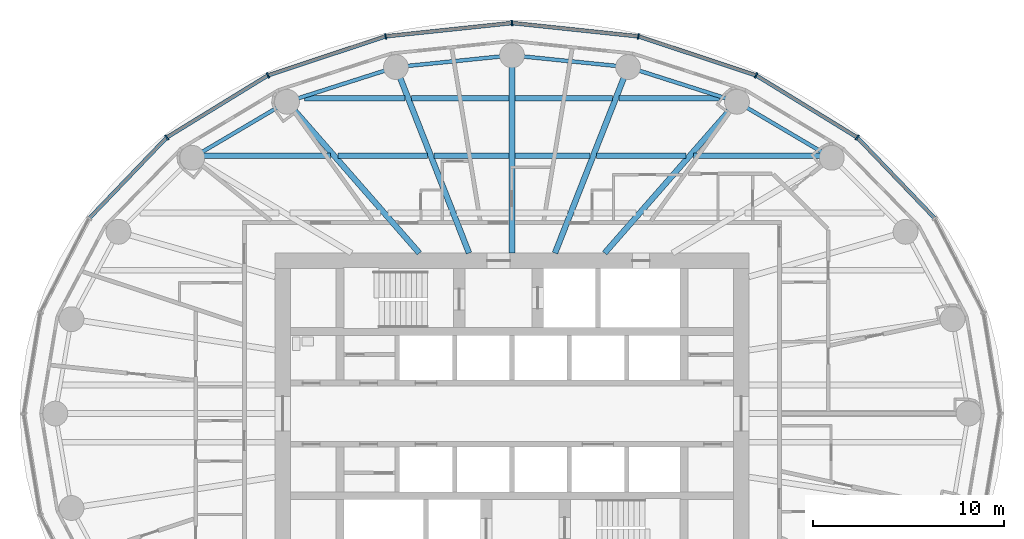
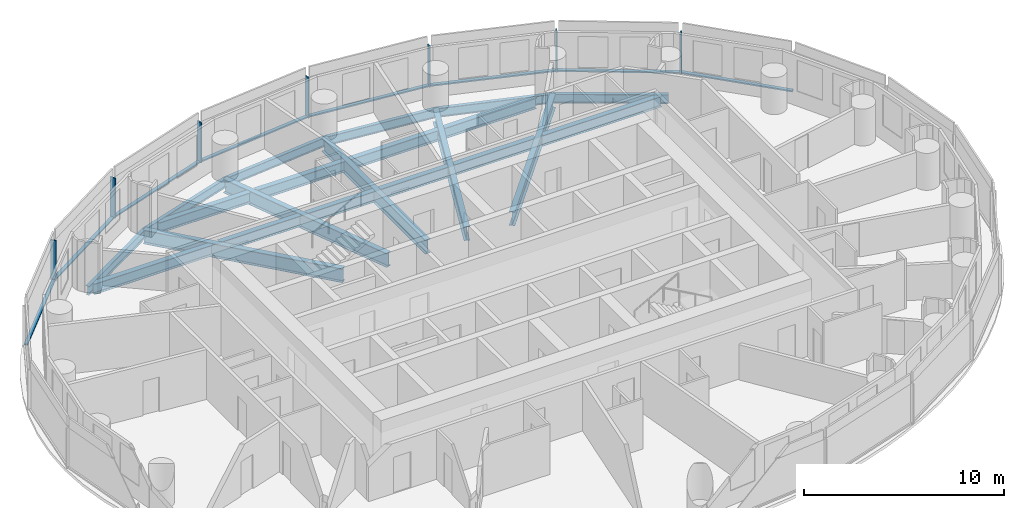
# One storey, part 4 of 14: 21 beams, 15 members, 2 elements without a shape of their own.
"""IFC4 building model written with IfcOpenShell, lengths in metres."""

from ifc_helpers import new_model, si_unit, direction, frame, origin, origin_2d, place, context, subcontext, project, spatial, rectangle, i_section, extrude, material, material_profile, profile_set, type_object, element, aggregate, save


model = new_model("IFC4")

# Units and contexts
model_context = context("Model", 3, precision=1e-05, world=origin(), true_north=direction((0.0, 1.0)))
body_context = subcontext(model_context, "Body", "Model", "MODEL_VIEW")
ifc_project = project(units=[si_unit("LENGTHUNIT", "METRE"), si_unit("AREAUNIT", "SQUARE_METRE"), si_unit("VOLUMEUNIT", "CUBIC_METRE"), si_unit("PLANEANGLEUNIT", "RADIAN"), si_unit("MASSUNIT", "GRAM", prefix="KILO")], contexts=[model_context])

# Site, building, storey
site_placement = place(None, origin())
site = spatial("IfcSite", under=ifc_project, at=site_placement, CompositionType="ELEMENT")
building_placement = place(site_placement, origin())
building = spatial("IfcBuilding", under=site, at=building_placement, Name="Hankou Lantern Tower", CompositionType="ELEMENT")
storey_placement = place(building_placement, frame((0.0, 0.0, 135.300048828125)))
storey = spatial("IfcBuildingStorey", under=building, at=storey_placement, Name="L35", CompositionType="ELEMENT", Elevation=135.300048828125)

# Beams
ifc_material_1 = material(Name="Steel Q355B", Category="steel")
ifc_material_profile_1 = material_profile(ifc_material_1, i_section(OverallWidth=0.199951171875, OverallDepth=0.550048828125, WebThickness=0.010009765625, FlangeThickness=0.01611328125, FilletRadius=0.012939453125, at=origin_2d()), Name="HN550x200x10x16")
ifc_profile_set_1 = profile_set([ifc_material_profile_1], Name="Steel Q355B")
beam_type_1 = type_object("IfcBeamType", Name="EB6 RING BEAM HN550x200x10x16", PredefinedType="SPANDREL", material=ifc_profile_set_1)
beam_1_placement = place(storey_placement, frame((16.73388671875, 13.38720703125, -0.455078125), z_axis=(-0.860988974188, 0.508623619513, 0.0), x_axis=(-0.508623619513, -0.860988974188, 0.0)))
element("IfcBeam", 1, at=beam_1_placement, inside=storey, type_object=beam_type_1, Name="Ring beam R04-R05 L35", PredefinedType="SPANDREL", context=body_context, shape_type="SweptSolid", body=[
    extrude(i_section(OverallWidth=0.199951171875, OverallDepth=0.550048828125, WebThickness=0.010009765625, FlangeThickness=0.01611328125, FilletRadius=0.012939453125, at=origin_2d()), origin(), (0.0, 0.0, 1.0), 5.759033203125),
])
beam_2_placement = place(storey_placement, frame((11.775390625, 16.31640625, -0.455078125), z_axis=(-0.952731090451, 0.303814860215, 0.0), x_axis=(-0.303814860215, -0.952731090451, 0.0)))
element("IfcBeam", 2, at=beam_2_placement, inside=storey, type_object=beam_type_1, Name="Ring beam R05-R06 L35", PredefinedType="SPANDREL", context=body_context, shape_type="SweptSolid", body=[
    extrude(i_section(OverallWidth=0.199951171875, OverallDepth=0.550048828125, WebThickness=0.010009765625, FlangeThickness=0.01611328125, FilletRadius=0.012939453125, at=origin_2d()), origin(), (0.0, 0.0, 1.0), 5.984375),
])
for number, where, z_axis, x_axis, name in (
    (3, (6.073974609375, 18.134521484375, -0.455078125), (-0.994905271594, 0.100814188259, 0.0), (-0.100814188259, -0.994905271594, 0.0), "Ring beam R06-R07 L35"),
    (4, (0.0, 18.75, -0.455078125), (-0.994905271594, -0.100814188259, 0.0), (0.100814188259, -0.994905271594, 0.0), "Ring beam R07-R08 L35"),
):
    element("IfcBeam", number, at=place(storey_placement, frame(where, z_axis=z_axis, x_axis=x_axis)), inside=storey, type_object=beam_type_1, Name=name, PredefinedType="SPANDREL", context=body_context, shape_type="SweptSolid", body=[
        extrude(i_section(OverallWidth=0.199951171875, OverallDepth=0.550048828125, WebThickness=0.010009765625, FlangeThickness=0.01611328125, FilletRadius=0.012939453125, at=origin_2d()), origin(), (0.0, 0.0, 1.0), 6.10498046875),
    ])
beam_3_placement = place(storey_placement, frame((-6.073974609375, 18.134521484375, -0.455078125), z_axis=(-0.952731090451, -0.303814860215, 0.0), x_axis=(0.303814860215, -0.952731090451, 0.0)))
element("IfcBeam", 5, at=beam_3_placement, inside=storey, type_object=beam_type_1, Name="Ring beam R08-R09 L35", PredefinedType="SPANDREL", context=body_context, shape_type="SweptSolid", body=[
    extrude(i_section(OverallWidth=0.199951171875, OverallDepth=0.550048828125, WebThickness=0.010009765625, FlangeThickness=0.01611328125, FilletRadius=0.012939453125, at=origin_2d()), origin(), (0.0, 0.0, 1.0), 5.984375),
])
beam_4_placement = place(storey_placement, frame((-11.775390625, 16.31640625, -0.455078125), z_axis=(-0.860988974188, -0.508623619513, 0.0), x_axis=(0.508623619513, -0.860988974188, 0.0)))
element("IfcBeam", 6, at=beam_4_placement, inside=storey, type_object=beam_type_1, Name="Ring beam R09-R10 L35", PredefinedType="SPANDREL", context=body_context, shape_type="SweptSolid", body=[
    extrude(i_section(OverallWidth=0.199951171875, OverallDepth=0.550048828125, WebThickness=0.010009765625, FlangeThickness=0.01611328125, FilletRadius=0.012939453125, at=origin_2d()), origin(), (0.0, 0.0, 1.0), 5.759033203125),
])

# Curtain wall, members
ifc_material_2 = material(Name="Glass, dark grey tinted laminated", Category="glass")
curtain_wall_type = type_object("IfcCurtainWallType", Name="CWB OUTER SKIN MID-RISE", PredefinedType="USERDEFINED", material=ifc_material_2)
curtain_wall_1_placement = place(storey_placement, origin())
curtain_wall_1 = element("IfcCurtainWall", 7, at=curtain_wall_1_placement, inside=storey, type_object=curtain_wall_type, Name="CWB L35 OS1", ObjectType="OUTER SKIN MID-RISE", PredefinedType="USERDEFINED")
ifc_material_3 = material(Name="Aluminium, black anodised", Category="aluminium")
ifc_material_profile_2 = material_profile(ifc_material_3, rectangle(XDim=0.080078125, YDim=0.300048828125, at=origin_2d()), Name="MU1 80X300")
ifc_profile_set_2 = profile_set([ifc_material_profile_2], Name="Aluminium, black anodised")
member_type_1 = type_object("IfcMemberType", Name="MU1 OUTER SKIN MULLION 80X300", PredefinedType="MULLION", material=ifc_profile_set_2)
member_1_placement = place(storey_placement, frame((18.066650390625, 14.453369140625, 0.0), z_axis=(0.0, 0.0, 1.0), x_axis=(-0.780868809444, 0.624695047553, 0.0)))
member_1 = element("IfcMember", 8, at=member_1_placement, type_object=member_type_1, Name="CWB mullion 4", PredefinedType="MULLION", context=body_context, shape_type="SweptSolid", body=[
    extrude(rectangle(XDim=0.080078125, YDim=0.300048828125, at=origin_2d()), origin(), (0.0, 0.0, 1.0), 2.449951171875),
])
member_2_placement = place(storey_placement, frame((12.77490234375, 17.70166015625, 0.0), z_axis=(0.0, 0.0, 1.0), x_axis=(-0.907841299004, 0.419313934686, 0.0)))
member_2 = element("IfcMember", 9, at=member_2_placement, type_object=member_type_1, Name="CWB mullion 5", PredefinedType="MULLION", context=body_context, shape_type="SweptSolid", body=[
    extrude(rectangle(XDim=0.080078125, YDim=0.300048828125, at=origin_2d()), origin(), (0.0, 0.0, 1.0), 2.449951171875),
])
member_3_placement = place(storey_placement, frame((6.61279296875, 19.743408203125, 0.0), z_axis=(0.0, 0.0, 1.0), x_axis=(-0.977787659625, 0.209597931016, 0.0)))
member_3 = element("IfcMember", 10, at=member_3_placement, type_object=member_type_1, Name="CWB mullion 6", PredefinedType="MULLION", context=body_context, shape_type="SweptSolid", body=[
    extrude(rectangle(XDim=0.080078125, YDim=0.300048828125, at=origin_2d()), origin(), (0.0, 0.0, 1.0), 2.449951171875),
])

curtain_wall_2_placement = place(storey_placement, origin())
curtain_wall_2 = element("IfcCurtainWall", 11, at=curtain_wall_2_placement, inside=storey, type_object=curtain_wall_type, Name="CWB L35 OS2", ObjectType="OUTER SKIN MID-RISE", PredefinedType="USERDEFINED")
member_4_placement = place(storey_placement, frame((0.0, 20.43994140625, 0.0), z_axis=(0.0, 0.0, 1.0), x_axis=(-0.994499359107, -0.104742659579, 0.0)))
member_4 = element("IfcMember", 12, at=member_4_placement, type_object=member_type_1, Name="CWB mullion 1", PredefinedType="MULLION", context=body_context, shape_type="SweptSolid", body=[
    extrude(rectangle(XDim=0.080078125, YDim=0.300048828125, at=origin_2d()), origin(), (0.0, 0.0, 1.0), 2.449951171875),
])
member_5_placement = place(storey_placement, frame((-6.61279296875, 19.743408203125, 0.0), z_axis=(0.0, 0.0, 1.0), x_axis=(-0.977787659625, -0.209597931016, 0.0)))
member_5 = element("IfcMember", 13, at=member_5_placement, type_object=member_type_1, Name="CWB mullion 2", PredefinedType="MULLION", context=body_context, shape_type="SweptSolid", body=[
    extrude(rectangle(XDim=0.080078125, YDim=0.300048828125, at=origin_2d()), origin(), (0.0, 0.0, 1.0), 2.449951171875),
])
member_6_placement = place(storey_placement, frame((-12.77490234375, 17.70166015625, 0.0), z_axis=(0.0, 0.0, 1.0), x_axis=(-0.907841299004, -0.419313934686, 0.0)))
member_6 = element("IfcMember", 14, at=member_6_placement, type_object=member_type_1, Name="CWB mullion 3", PredefinedType="MULLION", context=body_context, shape_type="SweptSolid", body=[
    extrude(rectangle(XDim=0.080078125, YDim=0.300048828125, at=origin_2d()), origin(), (0.0, 0.0, 1.0), 2.449951171875),
])
member_7_placement = place(storey_placement, frame((-18.066650390625, 14.453369140625, 0.0), z_axis=(0.0, 0.0, 1.0), x_axis=(-0.780868809444, -0.624695047553, 0.0)))
member_7 = element("IfcMember", 15, at=member_7_placement, type_object=member_type_1, Name="CWB mullion 4", PredefinedType="MULLION", context=body_context, shape_type="SweptSolid", body=[
    extrude(rectangle(XDim=0.080078125, YDim=0.300048828125, at=origin_2d()), origin(), (0.0, 0.0, 1.0), 2.449951171875),
])

# Beams
ifc_material_4 = material(Name="Steel Q355B", Category="steel")
ifc_material_profile_3 = material_profile(ifc_material_4, i_section(OverallWidth=0.300048828125, OverallDepth=0.85009765625, WebThickness=0.01611328125, FlangeThickness=0.027099609375, FilletRadius=0.01806640625, at=origin_2d()), Name="HN850x300x16x27")
ifc_profile_set_3 = profile_set([ifc_material_profile_3], Name="Steel Q355B")
beam_type_2 = type_object("IfcBeamType", Name="RB12 RADIAL BEAM HN850x300x16x27", PredefinedType="BEAM", material=ifc_profile_set_3)
beam_5_placement = place(storey_placement, frame((4.849853515625, 8.39990234375, -0.60498046875), z_axis=(0.658429014446, 0.752642832249, 0.0), x_axis=(-0.752642832249, 0.658429014446, 0.0)))
element("IfcBeam", 16, at=beam_5_placement, inside=storey, type_object=beam_type_2, Name="Radial beam R05 L35", PredefinedType="BEAM", context=body_context, shape_type="SweptSolid", body=[
    extrude(i_section(OverallWidth=0.300048828125, OverallDepth=0.85009765625, WebThickness=0.01611328125, FlangeThickness=0.027099609375, FilletRadius=0.01806640625, at=origin_2d()), origin(), (0.0, 0.0, 1.0), 10.518310546875),
])
beam_6_placement = place(storey_placement, frame((2.250732421875, 8.39990234375, -0.60498046875), z_axis=(0.365563535437, 0.930786388791, 0.0), x_axis=(-0.930786388791, 0.365563535437, 0.0)))
element("IfcBeam", 17, at=beam_6_placement, inside=storey, type_object=beam_type_2, Name="Radial beam R06 L35", PredefinedType="BEAM", context=body_context, shape_type="SweptSolid", body=[
    extrude(i_section(OverallWidth=0.300048828125, OverallDepth=0.85009765625, WebThickness=0.01611328125, FlangeThickness=0.027099609375, FilletRadius=0.01806640625, at=origin_2d()), origin(), (0.0, 0.0, 1.0), 10.45849609375),
])
beam_7_placement = place(storey_placement, frame((0.0, 8.39990234375, -0.60498046875), z_axis=(0.0, 1.0, 0.0), x_axis=(-1.0, 0.0, 0.0)))
element("IfcBeam", 18, at=beam_7_placement, inside=storey, type_object=beam_type_2, Name="Radial beam R07 L35", PredefinedType="BEAM", context=body_context, shape_type="SweptSolid", body=[
    extrude(i_section(OverallWidth=0.300048828125, OverallDepth=0.85009765625, WebThickness=0.01611328125, FlangeThickness=0.027099609375, FilletRadius=0.01806640625, at=origin_2d()), origin(), (0.0, 0.0, 1.0), 10.35009765625),
])
beam_8_placement = place(storey_placement, frame((-2.250732421875, 8.39990234375, -0.60498046875), z_axis=(-0.365563535437, 0.930786388791, 0.0), x_axis=(-0.930786388791, -0.365563535437, 0.0)))
element("IfcBeam", 19, at=beam_8_placement, inside=storey, type_object=beam_type_2, Name="Radial beam R08 L35", PredefinedType="BEAM", context=body_context, shape_type="SweptSolid", body=[
    extrude(i_section(OverallWidth=0.300048828125, OverallDepth=0.85009765625, WebThickness=0.01611328125, FlangeThickness=0.027099609375, FilletRadius=0.01806640625, at=origin_2d()), origin(), (0.0, 0.0, 1.0), 10.45849609375),
])
beam_9_placement = place(storey_placement, frame((-4.849853515625, 8.39990234375, -0.60498046875), z_axis=(-0.658429014446, 0.752642832249, 0.0), x_axis=(-0.752642832249, -0.658429014446, 0.0)))
element("IfcBeam", 20, at=beam_9_placement, inside=storey, type_object=beam_type_2, Name="Radial beam R09 L35", PredefinedType="BEAM", context=body_context, shape_type="SweptSolid", body=[
    extrude(i_section(OverallWidth=0.300048828125, OverallDepth=0.85009765625, WebThickness=0.01611328125, FlangeThickness=0.027099609375, FilletRadius=0.01806640625, at=origin_2d()), origin(), (0.0, 0.0, 1.0), 10.518310546875),
])
ifc_material_5 = material(Name="Steel Q355B", Category="steel")
ifc_material_profile_4 = material_profile(ifc_material_5, i_section(OverallWidth=0.300048828125, OverallDepth=0.64990234375, WebThickness=0.010986328125, FlangeThickness=0.01708984375, FilletRadius=0.01806640625, at=origin_2d()), Name="HN650x300x11x17")
ifc_profile_set_4 = profile_set([ifc_material_profile_4], Name="Steel Q355B")
beam_type_3 = type_object("IfcBeamType", Name="SB8 SECONDARY BEAM HN650x300x11x17", PredefinedType="JOIST", material=ifc_profile_set_4)
beam_10_placement = place(storey_placement, frame((-16.34619140625, 13.5, -0.505126953125), z_axis=(1.0, 0.0, 0.0), x_axis=(0.0, 1.0, 0.0)))
element("IfcBeam", 21, at=beam_10_placement, inside=storey, type_object=beam_type_3, Name="Floor joist J043 L35", PredefinedType="JOIST", context=body_context, shape_type="SweptSolid", body=[
    extrude(i_section(OverallWidth=0.300048828125, OverallDepth=0.64990234375, WebThickness=0.010986328125, FlangeThickness=0.01708984375, FilletRadius=0.01806640625, at=origin_2d()), origin(), (0.0, 0.0, 1.0), 6.83544921875),
])
beam_11_placement = place(storey_placement, frame((-9.112060546875, 13.5, -0.505126953125), z_axis=(1.0, 0.0, 0.0), x_axis=(0.0, 1.0, 0.0)))
element("IfcBeam", 22, at=beam_11_placement, inside=storey, type_object=beam_type_3, Name="Floor joist J044 L35", PredefinedType="JOIST", context=body_context, shape_type="SweptSolid", body=[
    extrude(i_section(OverallWidth=0.300048828125, OverallDepth=0.64990234375, WebThickness=0.010986328125, FlangeThickness=0.01708984375, FilletRadius=0.01806640625, at=origin_2d()), origin(), (0.0, 0.0, 1.0), 4.697021484375),
])
for number, where, z_axis, x_axis, name in (
    (23, (-4.092529296875, 13.5, -0.505126953125), (1.0, 0.0, 0.0), (0.0, 1.0, 0.0), "Floor joist J045 L35"),
    (24, (0.14990234375, 13.5, -0.505126953125), (1.0, 0.0, 0.0), (0.0, 1.0, 0.0), "Floor joist J046 L35"),
):
    element("IfcBeam", number, at=place(storey_placement, frame(where, z_axis=z_axis, x_axis=x_axis)), inside=storey, type_object=beam_type_3, Name=name, PredefinedType="JOIST", context=body_context, shape_type="SweptSolid", body=[
        extrude(i_section(OverallWidth=0.300048828125, OverallDepth=0.64990234375, WebThickness=0.010986328125, FlangeThickness=0.01708984375, FilletRadius=0.01806640625, at=origin_2d()), origin(), (0.0, 0.0, 1.0), 3.942626953125),
    ])
beam_12_placement = place(storey_placement, frame((4.4150390625, 13.5, -0.505126953125), z_axis=(1.0, 0.0, 0.0), x_axis=(0.0, 1.0, 0.0)))
element("IfcBeam", 25, at=beam_12_placement, inside=storey, type_object=beam_type_3, Name="Floor joist J047 L35", PredefinedType="JOIST", context=body_context, shape_type="SweptSolid", body=[
    extrude(i_section(OverallWidth=0.300048828125, OverallDepth=0.64990234375, WebThickness=0.010986328125, FlangeThickness=0.01708984375, FilletRadius=0.01806640625, at=origin_2d()), origin(), (0.0, 0.0, 1.0), 4.697021484375),
])
beam_13_placement = place(storey_placement, frame((9.5107421875, 13.5, -0.505126953125), z_axis=(1.0, 0.0, 0.0), x_axis=(0.0, 1.0, 0.0)))
element("IfcBeam", 26, at=beam_13_placement, inside=storey, type_object=beam_type_3, Name="Floor joist J048 L35", PredefinedType="JOIST", context=body_context, shape_type="SweptSolid", body=[
    extrude(i_section(OverallWidth=0.300048828125, OverallDepth=0.64990234375, WebThickness=0.010986328125, FlangeThickness=0.01708984375, FilletRadius=0.01806640625, at=origin_2d()), origin(), (0.0, 0.0, 1.0), 6.83544921875),
])
beam_14_placement = place(storey_placement, frame((-10.8701171875, 16.5, -0.505126953125), z_axis=(1.0, 0.0, 0.0), x_axis=(0.0, 1.0, 0.0)))
element("IfcBeam", 27, at=beam_14_placement, inside=storey, type_object=beam_type_3, Name="Floor joist J049 L35", PredefinedType="JOIST", context=body_context, shape_type="SweptSolid", body=[
    extrude(i_section(OverallWidth=0.300048828125, OverallDepth=0.64990234375, WebThickness=0.010986328125, FlangeThickness=0.01708984375, FilletRadius=0.01806640625, at=origin_2d()), origin(), (0.0, 0.0, 1.0), 5.27685546875),
])
for number, where, z_axis, x_axis, name in (
    (28, (-5.270751953125, 16.5, -0.505126953125), (1.0, 0.0, 0.0), (0.0, 1.0, 0.0), "Floor joist J050 L35"),
    (29, (0.14990234375, 16.5, -0.505126953125), (1.0, 0.0, 0.0), (0.0, 1.0, 0.0), "Floor joist J051 L35"),
):
    element("IfcBeam", number, at=place(storey_placement, frame(where, z_axis=z_axis, x_axis=x_axis)), inside=storey, type_object=beam_type_3, Name=name, PredefinedType="JOIST", context=body_context, shape_type="SweptSolid", body=[
        extrude(i_section(OverallWidth=0.300048828125, OverallDepth=0.64990234375, WebThickness=0.010986328125, FlangeThickness=0.01708984375, FilletRadius=0.01806640625, at=origin_2d()), origin(), (0.0, 0.0, 1.0), 5.120849609375),
    ])
beam_15_placement = place(storey_placement, frame((5.59326171875, 16.5, -0.505126953125), z_axis=(1.0, 0.0, 0.0), x_axis=(0.0, 1.0, 0.0)))
element("IfcBeam", 30, at=beam_15_placement, inside=storey, type_object=beam_type_3, Name="Floor joist J052 L35", PredefinedType="JOIST", context=body_context, shape_type="SweptSolid", body=[
    extrude(i_section(OverallWidth=0.300048828125, OverallDepth=0.64990234375, WebThickness=0.010986328125, FlangeThickness=0.01708984375, FilletRadius=0.01806640625, at=origin_2d()), origin(), (0.0, 0.0, 1.0), 5.27685546875),
])

# Member
ifc_material_6 = material(Name="Aluminium, black anodised", Category="aluminium")
ifc_material_profile_5 = material_profile(ifc_material_6, rectangle(XDim=0.199951171875, YDim=0.080078125, at=origin_2d()), Name="TR1 200X80")
ifc_profile_set_5 = profile_set([ifc_material_profile_5], Name="Aluminium, black anodised")
member_type_2 = type_object("IfcMemberType", Name="TR1 OUTER SKIN TRANSOM 200X80", PredefinedType="USERDEFINED", material=ifc_profile_set_5)
member_8_placement = place(storey_placement, frame((22.099365234375, 10.248779296875, 0.0400390625), z_axis=(-0.692226977748, 0.721679853729, 0.0), x_axis=(-0.721679853729, -0.692226977748, 0.0)))
member_8 = element("IfcMember", 31, at=member_8_placement, type_object=member_type_2, Name="CWB transom 3", ObjectType="TRANSOM", PredefinedType="USERDEFINED", context=body_context, shape_type="SweptSolid", body=[
    extrude(rectangle(XDim=0.199951171875, YDim=0.080078125, at=origin_2d()), origin(), (0.0, 0.0, 1.0), 5.785888671875),
])

member_9_placement = place(storey_placement, frame((18.032470703125, 14.47412109375, 0.0400390625), z_axis=(-0.852229492169, 0.523168130411, 0.0), x_axis=(-0.523168130411, -0.852229492169, 0.0)))
member_9 = element("IfcMember", 32, at=member_9_placement, type_object=member_type_2, Name="CWB transom 4", ObjectType="TRANSOM", PredefinedType="USERDEFINED", context=body_context, shape_type="SweptSolid", body=[
    extrude(rectangle(XDim=0.199951171875, YDim=0.080078125, at=origin_2d()), origin(), (0.0, 0.0, 1.0), 6.129150390625),
])

member_10_placement = place(storey_placement, frame((12.737060546875, 17.714111328125, 0.0400390625), z_axis=(-0.949237765745, 0.314559476225, 0.0), x_axis=(-0.314559476225, -0.949237765745, 0.0)))
member_10 = element("IfcMember", 33, at=member_10_placement, type_object=member_type_2, Name="CWB transom 5", ObjectType="TRANSOM", PredefinedType="USERDEFINED", context=body_context, shape_type="SweptSolid", body=[
    extrude(rectangle(XDim=0.199951171875, YDim=0.080078125, at=origin_2d()), origin(), (0.0, 0.0, 1.0), 6.41162109375),
])

member_11_placement = place(storey_placement, frame((6.572998046875, 19.747802734375, 0.0400390625), z_axis=(-0.994500972001, 0.10472734451, 0.0), x_axis=(-0.10472734451, -0.994500972001, 0.0)))
member_11 = element("IfcMember", 34, at=member_11_placement, type_object=member_type_2, Name="CWB transom 6", ObjectType="TRANSOM", PredefinedType="USERDEFINED", context=body_context, shape_type="SweptSolid", body=[
    extrude(rectangle(XDim=0.199951171875, YDim=0.080078125, at=origin_2d()), origin(), (0.0, 0.0, 1.0), 6.5693359375),
])

aggregate(curtain_wall_1, [member_1, member_2, member_3, member_8, member_9, member_10, member_11])

member_12_placement = place(storey_placement, frame((-0.039794921875, 20.435791015625, 0.0400390625), z_axis=(-0.994500972001, -0.10472734451, 0.0), x_axis=(0.10472734451, -0.994500972001, 0.0)))
member_12 = element("IfcMember", 35, at=member_12_placement, type_object=member_type_2, Name="CWB transom 1", ObjectType="TRANSOM", PredefinedType="USERDEFINED", context=body_context, shape_type="SweptSolid", body=[
    extrude(rectangle(XDim=0.199951171875, YDim=0.080078125, at=origin_2d()), origin(), (0.0, 0.0, 1.0), 6.5693359375),
])

member_13_placement = place(storey_placement, frame((-6.65087890625, 19.73095703125, 0.0400390625), z_axis=(-0.949237765745, -0.314559476225, 0.0), x_axis=(0.314559476225, -0.949237765745, 0.0)))
member_13 = element("IfcMember", 36, at=member_13_placement, type_object=member_type_2, Name="CWB transom 2", ObjectType="TRANSOM", PredefinedType="USERDEFINED", context=body_context, shape_type="SweptSolid", body=[
    extrude(rectangle(XDim=0.199951171875, YDim=0.080078125, at=origin_2d()), origin(), (0.0, 0.0, 1.0), 6.41162109375),
])

member_14_placement = place(storey_placement, frame((-12.80908203125, 17.6806640625, 0.0400390625), z_axis=(-0.852229492169, -0.523168130411, 0.0), x_axis=(0.523168130411, -0.852229492169, 0.0)))
member_14 = element("IfcMember", 37, at=member_14_placement, type_object=member_type_2, Name="CWB transom 3", ObjectType="TRANSOM", PredefinedType="USERDEFINED", context=body_context, shape_type="SweptSolid", body=[
    extrude(rectangle(XDim=0.199951171875, YDim=0.080078125, at=origin_2d()), origin(), (0.0, 0.0, 1.0), 6.129150390625),
])

member_15_placement = place(storey_placement, frame((-18.09423828125, 14.42431640625, 0.0400390625), z_axis=(-0.692226977748, -0.721679853729, 0.0), x_axis=(0.721679853729, -0.692226977748, 0.0)))
member_15 = element("IfcMember", 38, at=member_15_placement, type_object=member_type_2, Name="CWB transom 4", ObjectType="TRANSOM", PredefinedType="USERDEFINED", context=body_context, shape_type="SweptSolid", body=[
    extrude(rectangle(XDim=0.199951171875, YDim=0.080078125, at=origin_2d()), origin(), (0.0, 0.0, 1.0), 5.785888671875),
])

aggregate(curtain_wall_2, [member_4, member_5, member_6, member_7, member_12, member_13, member_14, member_15])

save(model, "model.ifc")
